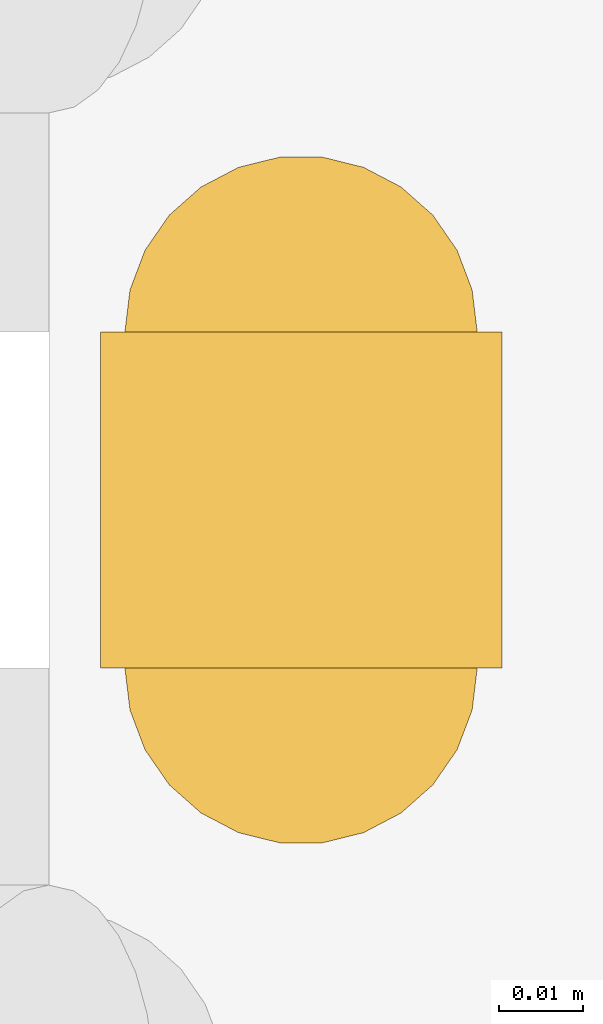
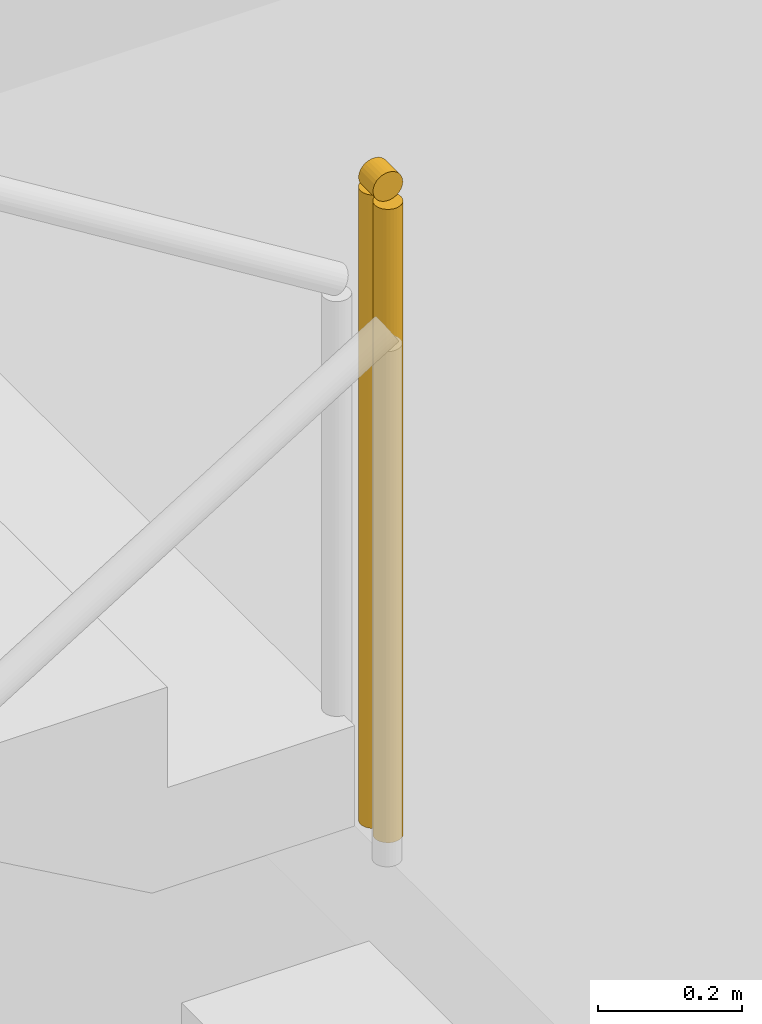
# One storey, part 177 of 180: 1 railing.
"""IFC4 building model written with IfcOpenShell, lengths in metres."""

from ifc_helpers import new_model, si_unit, direction, frame, origin, origin_2d, place, context, subcontext, project, spatial, circle, extrude, material, type_object, element, save


model = new_model("IFC4")

# Units and contexts
model_context = context("Model", 3, precision=1e-05, world=origin(), true_north=direction((0.0, 1.0)))
body_context = subcontext(model_context, "Body", "Model", "MODEL_VIEW")
ifc_project = project(units=[si_unit("LENGTHUNIT", "METRE"), si_unit("AREAUNIT", "SQUARE_METRE"), si_unit("VOLUMEUNIT", "CUBIC_METRE"), si_unit("PLANEANGLEUNIT", "RADIAN"), si_unit("MASSUNIT", "GRAM", prefix="KILO")], contexts=[model_context])

# Site, building, storey
site_placement = place(None, origin())
site = spatial("IfcSite", under=ifc_project, at=site_placement, CompositionType="ELEMENT")
building_placement = place(site_placement, origin())
building = spatial("IfcBuilding", under=site, at=building_placement, Name="Asteropetra Specialist Clinic", CompositionType="ELEMENT")
storey_placement = place(building_placement, frame((0.0, 0.0, 4.419921875)))
storey = spatial("IfcBuildingStorey", under=building, at=storey_placement, Name="L01", CompositionType="ELEMENT", Elevation=4.419921875)

# Railing
ifc_material = material(Name="Steel S355 and laminated glass guard", Category="steel")
railing_type = type_object("IfcRailingType", Name="GRD-INT-1120", PredefinedType="GUARDRAIL", material=ifc_material)
railing_placement = place(storey_placement, frame((130.080078125, 45.669921875, 2.0400390625)))
element("IfcRailing", 1, at=railing_placement, inside=storey, type_object=railing_type, Name="Landing Slot Guard ST09-L01", PredefinedType="GUARDRAIL", context=body_context, shape_type="SweptSolid", body=[
    extrude(circle(Radius=0.02392578125, at=origin_2d()), frame((0.0, 0.0, 1.09619140625), z_axis=(0.0, 1.0, 0.0), x_axis=(-1.0, 0.0, 0.0)), (0.0, 0.0, 1.0), 0.0400390625),
    extrude(circle(Radius=0.02099609375, at=origin_2d()), origin(), (0.0, 0.0, 1.0), 1.072021484375),
    extrude(circle(Radius=0.02099609375, at=origin_2d()), frame((0.0, 0.0400390625, 0.0)), (0.0, 0.0, 1.0), 1.072021484375),
])

save(model, "model.ifc")
